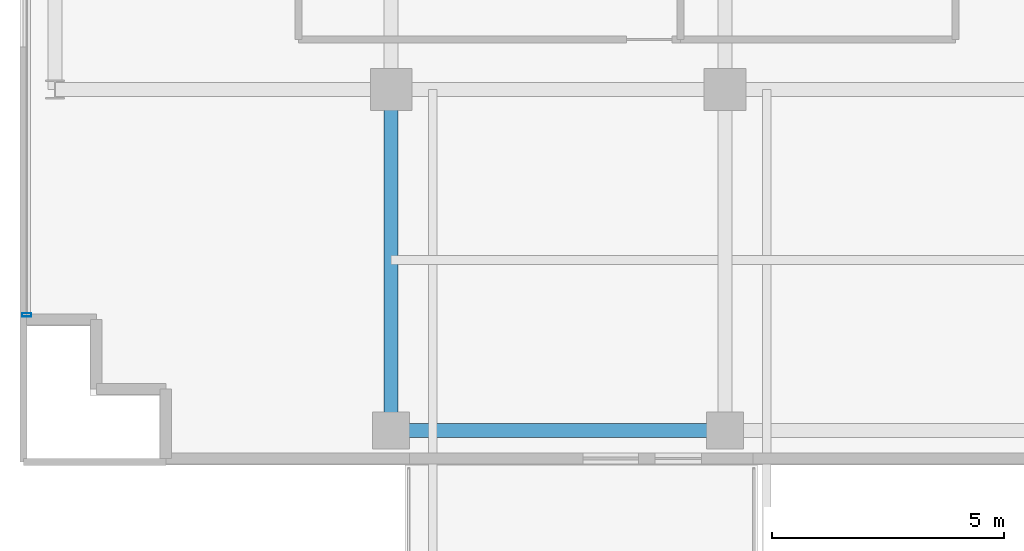
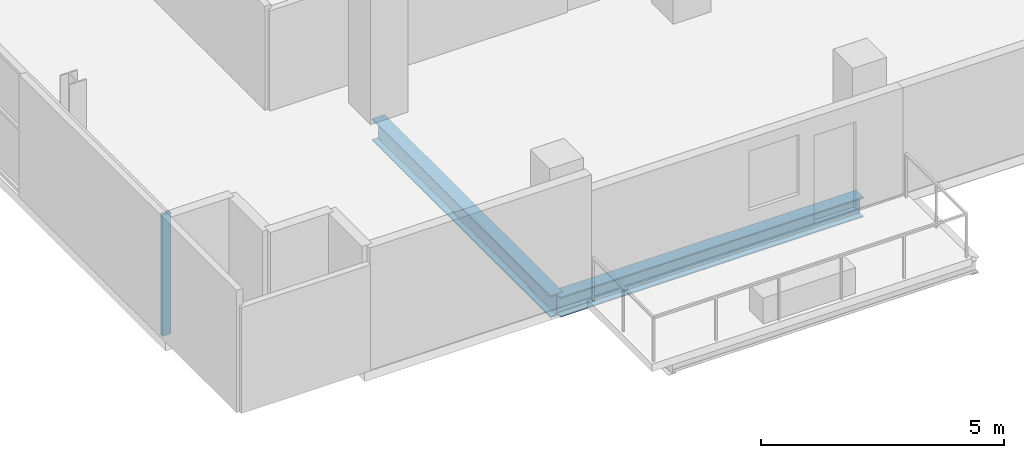
# One storey, part 2 of 25: 2 beams, 1 member, 1 element without a shape of its own.
"""IFC4 building model written with IfcOpenShell, lengths in metres."""

from ifc_helpers import new_model, si_unit, direction, frame, origin, origin_2d, place, context, subcontext, project, spatial, hollow_rectangle, i_section, extrude, source, transform, mapped, material, layer, layer_set, material_profile, profile_set, type_object, element, aggregate, save


model = new_model("IFC4")

# Units and contexts
model_context = context("Model", 3, precision=1e-05, world=origin(), true_north=direction((0.0, 1.0)))
body_context = subcontext(model_context, "Body", "Model", "MODEL_VIEW")
ifc_project = project(units=[si_unit("LENGTHUNIT", "METRE"), si_unit("AREAUNIT", "SQUARE_METRE"), si_unit("VOLUMEUNIT", "CUBIC_METRE"), si_unit("PLANEANGLEUNIT", "RADIAN"), si_unit("MASSUNIT", "GRAM", prefix="KILO")], contexts=[model_context])

# Site, building, storey
site_placement = place(None, origin())
site = spatial("IfcSite", under=ifc_project, at=site_placement, CompositionType="ELEMENT")
building_placement = place(site_placement, origin())
building = spatial("IfcBuilding", under=site, at=building_placement, Name="Zarnakvel Exchange Tower", CompositionType="ELEMENT")
storey_placement = place(building_placement, frame((0.0, 0.0, 100.0)))
storey = spatial("IfcBuildingStorey", under=building, at=storey_placement, Name="L27", CompositionType="ELEMENT", Elevation=100.0)

# Beams
ifc_material_1 = material(Name="Steel S355", Category="steel")
ifc_material_profile_1 = material_profile(ifc_material_1, i_section(OverallWidth=0.300048828125, OverallDepth=0.550048828125, WebThickness=0.014892578125, FlangeThickness=0.029052734375, FilletRadius=0.027099609375, at=origin_2d()))
ifc_profile_set_1 = profile_set([ifc_material_profile_1], Name="Steel S355")
beam_type_1 = type_object("IfcBeamType", Name="G-05", PredefinedType="BEAM", material=ifc_profile_set_1)
beam_1_placement = place(storey_placement, frame((-21.60009765625, -16.949951171875, -0.5), z_axis=(0.0, 1.0, 0.0), x_axis=(-1.0, 0.0, 0.0)))
element("IfcBeam", 1, at=beam_1_placement, inside=storey, type_object=beam_type_1, Name="L27 Tower N-S Frame Beam", PredefinedType="BEAM", context=body_context, shape_type="SweptSolid", body=[
    extrude(i_section(OverallWidth=0.300048828125, OverallDepth=0.550048828125, WebThickness=0.014892578125, FlangeThickness=0.029052734375, FilletRadius=0.027099609375, at=origin_2d()), origin(), (0.0, 0.0, 1.0), 7.349853515625),
])
ifc_material_profile_2 = material_profile(ifc_material_1, i_section(OverallWidth=0.300048828125, OverallDepth=0.5, WebThickness=0.014404296875, FlangeThickness=0.028076171875, FilletRadius=0.027099609375, at=origin_2d()))
ifc_profile_set_2 = profile_set([ifc_material_profile_2], Name="Steel S355")
beam_type_2 = type_object("IfcBeamType", Name="SP-02", PredefinedType="SPANDREL", material=ifc_profile_set_2)
beam_2_placement = place(storey_placement, frame((-21.60009765625, -16.949951171875, -0.47509765625), z_axis=(1.0, 0.0, 0.0), x_axis=(0.0, 1.0, 0.0)))
element("IfcBeam", 2, at=beam_2_placement, inside=storey, type_object=beam_type_2, Name="L27 Tower E-W Frame Beam", PredefinedType="SPANDREL", context=body_context, shape_type="SweptSolid", body=[
    extrude(i_section(OverallWidth=0.300048828125, OverallDepth=0.5, WebThickness=0.014404296875, FlangeThickness=0.028076171875, FilletRadius=0.027099609375, at=origin_2d()), origin(), (0.0, 0.0, 1.0), 7.2001953125),
])

# Curtain wall, member
ifc_material_2 = material(Name="Architectural Bronze Anodised Aluminium", Category="aluminium")
ifc_layer = layer(ifc_material_2, 0.199951171875)
ifc_layer_set = layer_set([ifc_layer], Name="Architectural Bronze Anodised Aluminium")
curtain_wall_type = type_object("IfcCurtainWallType", Name="CW-04", PredefinedType="NOTDEFINED", material=ifc_layer_set)
curtain_wall_placement = place(storey_placement, origin())
curtain_wall = element("IfcCurtainWall", 3, at=curtain_wall_placement, inside=storey, type_object=curtain_wall_type, Name="L27 Curtain Wall CW-L27-W1 (CW-04)", PredefinedType="NOTDEFINED")
ifc_material_profile_3 = material_profile(ifc_material_2, hollow_rectangle(XDim=0.199951171875, YDim=0.074951171875, WallThickness=0.0048828125, at=origin_2d()))
ifc_profile_set_3 = profile_set([ifc_material_profile_3], Name="Architectural Bronze Anodised Aluminium")
member_type = type_object("IfcMemberType", Name="CWM-04", PredefinedType="MULLION", material=ifc_profile_set_3)
shared_shape = source(origin(), body_context, "Body", "SweptSolid", [
    extrude(hollow_rectangle(XDim=0.199951171875, YDim=0.074951171875, WallThickness=0.0048828125, at=origin_2d()), origin(), (0.0, 0.0, 1.0), 3.054931640625),
])
member_placement = place(storey_placement, frame((-29.4599609375, -14.46240234375, 0.0), z_axis=(0.0, 0.0, 1.0), x_axis=(-1.0, 0.0, 0.0)))
member = element("IfcMember", 4, at=member_placement, type_object=member_type, Name="CW-04 mullion 1", PredefinedType="MULLION", context=body_context, shape_type="MappedRepresentation", body=[
    mapped(shared_shape, transform((0.0, 0.0, 0.0), x_axis=(1.0, 0.0, 0.0), y_axis=(0.0, 1.0, 0.0), z_axis=(0.0, 0.0, 1.0), scale=1.0)),
])
aggregate(curtain_wall, [member])

save(model, "model.ifc")
